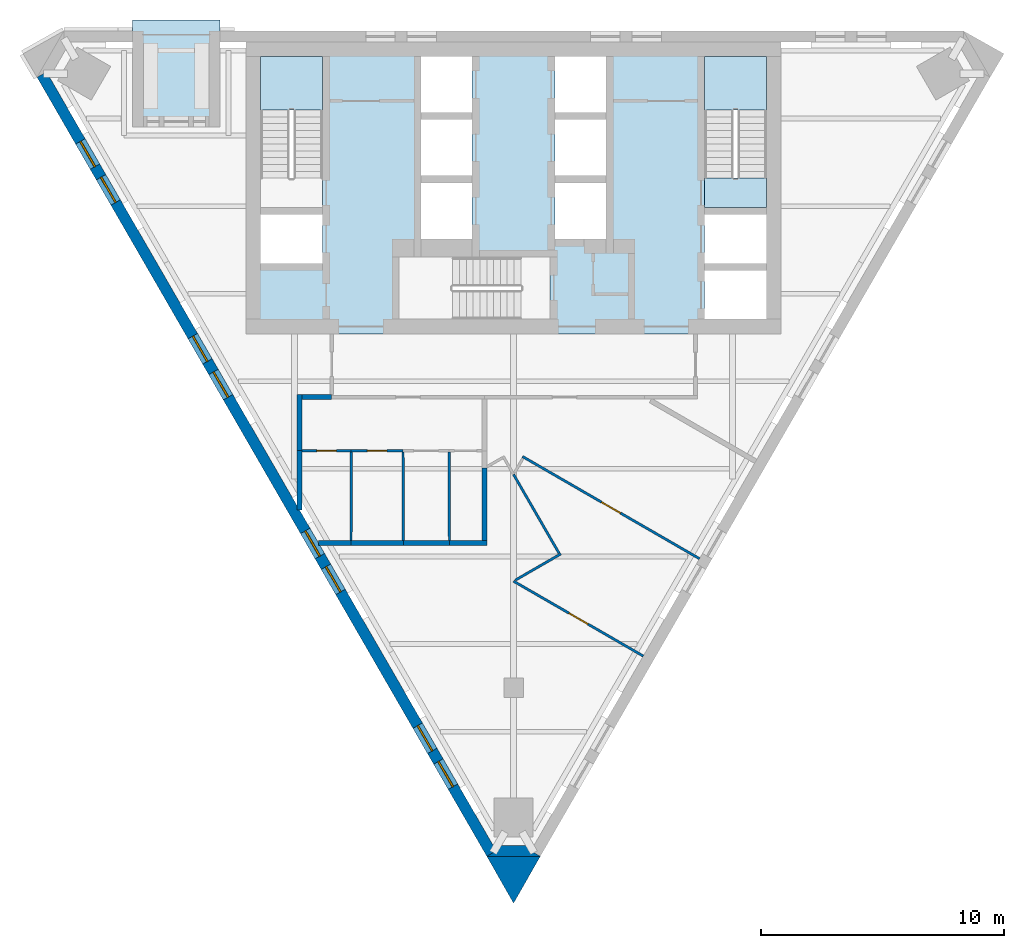
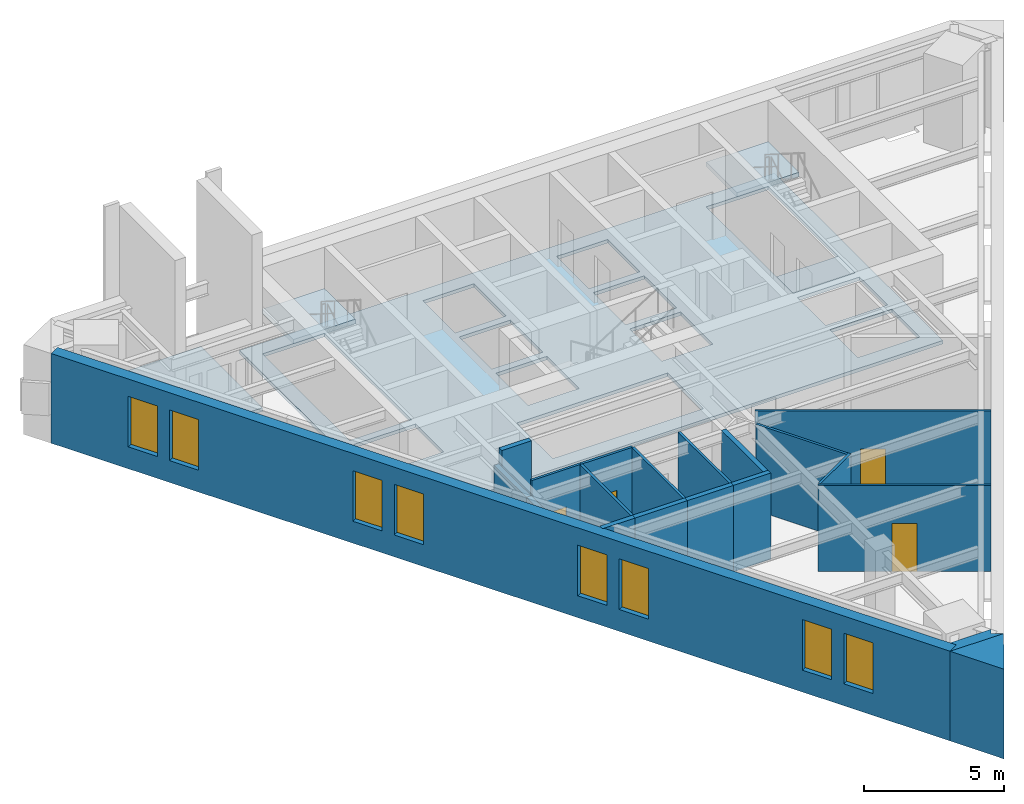
# One storey, part 2 of 6: 20 walls, 8 windows, 5 slabs, 4 doors, 12 openings, 2 elements without a shape of their own.
"""IFC4 building model written with IfcOpenShell, lengths in metres."""

from ifc_helpers import new_model, si_unit, direction, frame, frame_2d, origin, place, context, subcontext, project, spatial, polyline, rectangle, outline, extrude, material, layer, layer_set, type_object, element, fill, aggregate, save


model = new_model("IFC4")

# Units and contexts
model_context = context("Model", 3, precision=1e-05, world=origin(), true_north=direction((0.0, 1.0)))
body_context = subcontext(model_context, "Body", "Model", "MODEL_VIEW")
ifc_project = project(units=[si_unit("LENGTHUNIT", "METRE"), si_unit("AREAUNIT", "SQUARE_METRE"), si_unit("VOLUMEUNIT", "CUBIC_METRE"), si_unit("PLANEANGLEUNIT", "RADIAN"), si_unit("MASSUNIT", "GRAM", prefix="KILO")], contexts=[model_context])

# Site, building, storey
site_placement = place(None, origin())
site = spatial("IfcSite", under=ifc_project, at=site_placement, CompositionType="ELEMENT")
building_placement = place(site_placement, origin())
building = spatial("IfcBuilding", under=site, at=building_placement, Name="Aloe Facet Convention Tower", CompositionType="ELEMENT")
storey_placement = place(building_placement, frame((0.0, 0.0, 250.39990234375)))
storey = spatial("IfcBuildingStorey", under=building, at=storey_placement, Name="L61", CompositionType="ELEMENT", Elevation=250.39990234375)

# Slabs
ifc_material_1 = material(Name="Concrete C50/60", Category="concrete")
ifc_layer_1 = layer(ifc_material_1, 0.14990234375)
ifc_layer_set_1 = layer_set([ifc_layer_1], Name="CR-S-FLOOR150-C5060")
slab_type_1 = type_object("IfcSlabType", Name="CR-S-FLOOR150-C5060", PredefinedType="FLOOR", material=ifc_layer_set_1)
slab_1_placement = place(storey_placement, frame((0.0, 0.0, -0.14990234375)))
element("IfcSlab", 1, at=slab_1_placement, inside=storey, type_object=slab_type_1, Name="Core floor L61", PredefinedType="FLOOR", context=body_context, shape_type="SweptSolid", body=[
    extrude(outline(polyline([(71.85009765625, 134.550048828125), (72.75, 134.550048828125), (75.60009765625, 134.550048828125), (76.5, 134.550048828125), (78.0, 134.550048828125), (78.89990234375, 134.550048828125), (81.10009765625, 134.550048828125), (82.0, 134.550048828125), (83.5, 134.550048828125), (84.39990234375, 134.550048828125), (87.25, 134.550048828125), (88.14990234375, 134.550048828125), (91.0, 134.550048828125), (91.0, 128.050048828125), (91.0, 127.14990234375), (91.0, 125.75), (91.0, 124.85009765625), (91.0, 122.550048828125), (88.14990234375, 122.550048828125), (87.25, 122.550048828125), (85.300048828125, 122.550048828125), (84.39990234375, 122.550048828125), (82.10009765625, 122.550048828125), (81.199951171875, 122.550048828125), (75.60009765625, 122.550048828125), (74.699951171875, 122.550048828125), (72.75, 122.550048828125), (71.85009765625, 122.550048828125), (69.0, 122.550048828125), (69.0, 124.85009765625), (69.0, 125.75), (69.0, 127.14990234375), (69.0, 128.050048828125), (69.0, 134.550048828125), (71.85009765625, 134.550048828125)]), holes=[polyline([(80.298828125, 123.14990234375), (81.5, 123.14990234375), (81.5, 125.699951171875), (80.298828125, 125.699951171875), (75.300048828125, 125.699951171875), (75.300048828125, 123.14990234375), (80.298828125, 123.14990234375)]), polyline([(69.60009765625, 125.449951171875), (72.14990234375, 125.449951171875), (72.14990234375, 127.449951171875), (69.60009765625, 127.449951171875), (69.60009765625, 125.449951171875)]), polyline([(76.199951171875, 126.449951171875), (78.300048828125, 126.449951171875), (78.300048828125, 128.75), (76.199951171875, 128.75), (76.199951171875, 126.449951171875)]), polyline([(78.300048828125, 129.050048828125), (78.300048828125, 131.35009765625), (76.199951171875, 131.35009765625), (76.199951171875, 129.050048828125), (78.300048828125, 129.050048828125)]), polyline([(69.60009765625, 133.949951171875), (69.60009765625, 128.951171875), (69.60009765625, 127.75), (72.14990234375, 127.75), (72.14990234375, 128.951171875), (72.14990234375, 133.949951171875), (69.60009765625, 133.949951171875)]), polyline([(76.199951171875, 131.64990234375), (78.300048828125, 131.64990234375), (78.300048828125, 133.949951171875), (76.199951171875, 133.949951171875), (76.199951171875, 131.64990234375)]), polyline([(90.39990234375, 123.14990234375), (90.39990234375, 125.14990234375), (87.85009765625, 125.14990234375), (87.85009765625, 123.14990234375), (90.39990234375, 123.14990234375)]), polyline([(87.85009765625, 125.449951171875), (90.39990234375, 125.449951171875), (90.39990234375, 127.449951171875), (87.85009765625, 127.449951171875), (87.85009765625, 125.449951171875)]), polyline([(81.699951171875, 126.449951171875), (83.800048828125, 126.449951171875), (83.800048828125, 128.75), (81.699951171875, 128.75), (81.699951171875, 126.449951171875)]), polyline([(83.800048828125, 129.050048828125), (83.800048828125, 131.35009765625), (81.699951171875, 131.35009765625), (81.699951171875, 129.050048828125), (83.800048828125, 129.050048828125)]), polyline([(87.85009765625, 133.949951171875), (87.85009765625, 128.951171875), (87.85009765625, 127.75), (90.39990234375, 127.75), (90.39990234375, 128.951171875), (90.39990234375, 133.949951171875), (87.85009765625, 133.949951171875)]), polyline([(81.699951171875, 131.64990234375), (83.800048828125, 131.64990234375), (83.800048828125, 133.949951171875), (81.699951171875, 133.949951171875), (81.699951171875, 131.64990234375)])]), origin(), (0.0, 0.0, 1.0), 0.14990234375),
])
ifc_material_2 = material(Name="Concrete C50/60", Category="concrete")
ifc_layer_2 = layer(ifc_material_2, 0.300048828125)
ifc_layer_set_2 = layer_set([ifc_layer_2], Name="CR-S-FLOOR300-C5060")
slab_type_2 = type_object("IfcSlabType", Name="CR-S-FLOOR300-C5060", PredefinedType="FLOOR", material=ifc_layer_set_2)
slab_2_placement = place(storey_placement, frame((0.0, 0.0, -0.2998046875)))
element("IfcSlab", 2, at=slab_2_placement, inside=storey, type_object=slab_type_2, Name="Stair landing floor L61", PredefinedType="FLOOR", context=body_context, shape_type="SweptSolid", body=[
    extrude(outline(polyline([(90.39990234375, 127.75), (90.39990234375, 128.951171875), (87.85009765625, 128.951171875), (87.85009765625, 127.75), (90.39990234375, 127.75)])), origin(), (0.0, 0.0, 1.0), 0.2998046875),
])

# Stair, slab
ifc_material_3 = material(Name="Concrete C50/60", Category="concrete")
stair_type = type_object("IfcStairType", Name="CR-ST-22R", PredefinedType="HALF_TURN_STAIR", material=ifc_material_3)
stair_1_placement = place(storey_placement, origin())
stair_1 = element("IfcStair", 3, at=stair_1_placement, inside=storey, type_object=stair_type, Name="L61 Protected exit stair ST1", PredefinedType="HALF_TURN_STAIR")
ifc_material_4 = material(Name="Concrete C50/60", Category="concrete")
ifc_layer_3 = layer(ifc_material_4, 0.199951171875)
ifc_layer_set_3 = layer_set([ifc_layer_3], Name="CR-SL-LANDING")
slab_type_3 = type_object("IfcSlabType", Name="CR-SL-LANDING", PredefinedType="LANDING", material=ifc_layer_set_3)
slab_3_placement = place(storey_placement, frame((0.0, 0.0, 1.75)))
slab_3 = element("IfcSlab", 4, at=slab_3_placement, type_object=slab_type_3, Name="ST1 landing 1", PredefinedType="LANDING", context=body_context, shape_type="SweptSolid", body=[
    extrude(outline(polyline([(72.14990234375, 131.75), (72.14990234375, 133.949951171875), (69.60009765625, 133.949951171875), (69.60009765625, 131.75), (72.14990234375, 131.75)])), origin(), (0.0, 0.0, 1.0), 0.2001953125),
])
aggregate(stair_1, [slab_3])

stair_2_placement = place(storey_placement, origin())
stair_2 = element("IfcStair", 5, at=stair_2_placement, inside=storey, type_object=stair_type, Name="L61 Protected exit stair ST2", PredefinedType="HALF_TURN_STAIR")
slab_4_placement = place(storey_placement, frame((0.0, 0.0, 1.75)))
slab_4 = element("IfcSlab", 6, at=slab_4_placement, type_object=slab_type_3, Name="ST2 landing 1", PredefinedType="LANDING", context=body_context, shape_type="SweptSolid", body=[
    extrude(outline(polyline([(90.39990234375, 131.75), (90.39990234375, 133.949951171875), (87.85009765625, 133.949951171875), (87.85009765625, 131.75), (90.39990234375, 131.75)])), origin(), (0.0, 0.0, 1.0), 0.2001953125),
])
aggregate(stair_2, [slab_4])

# Slab
ifc_material_5 = material(Name="Concrete C35/45", Category="concrete")
ifc_layer_4 = layer(ifc_material_5, 0.14990234375)
ifc_layer_set_4 = layer_set([ifc_layer_4], Name="SF-TS-150")
slab_type_4 = type_object("IfcSlabType", Name="SF-TS-150", PredefinedType="FLOOR", material=ifc_layer_set_4)
slab_5_placement = place(storey_placement, frame((0.0, 0.0, -0.14990234375)))
element("IfcSlab", 7, at=slab_5_placement, inside=storey, type_object=slab_type_4, Name="Terrace slab T13", PredefinedType="FLOOR", context=body_context, shape_type="SweptSolid", body=[
    extrude(outline(polyline([(67.935302734375, 135.449951171875), (67.935302734375, 131.050048828125), (64.33544921875, 131.050048828125), (64.33544921875, 135.449951171875), (67.935302734375, 135.449951171875)])), origin(), (0.0, 0.0, 1.0), 0.14990234375),
])

# Walls
ifc_material_6 = material(Name="Precast concrete C40/50", Category="concrete")
ifc_layer_5 = layer(ifc_material_6, 0.449951171875)
ifc_layer_set_5 = layer_set([ifc_layer_5], Name="EV-WALL-PIER")
wall_type_1 = type_object("IfcWallType", Name="EV-WALL-PIER", PredefinedType="SOLIDWALL", material=ifc_layer_set_5)
wall_1_placement = place(storey_placement, frame((0.0, 0.0, -0.14990234375)))
element("IfcWall", 8, at=wall_1_placement, inside=storey, type_object=wall_type_1, Name="EP-L61-B", PredefinedType="SOLIDWALL", context=body_context, shape_type="SweptSolid", body=[
    extrude(outline(polyline([(78.89990234375, 101.07568359375), (79.289794921875, 101.30078125), (79.159912109375, 101.52587890625), (80.840087890625, 101.52587890625), (80.710205078125, 101.30078125), (81.10009765625, 101.07568359375), (78.89990234375, 101.07568359375)])), origin(), (0.0, 0.0, 1.0), 3.89990234375),
])
ifc_material_7 = material(Name="Precast concrete C40/50", Category="concrete")
ifc_layer_6 = layer(ifc_material_7, 3.947998046875)
ifc_layer_set_6 = layer_set([ifc_layer_6], Name="EV-WALL-SPINE")
wall_type_2 = type_object("IfcWallType", Name="EV-WALL-SPINE", PredefinedType="SOLIDWALL", material=ifc_layer_set_6)
wall_2_placement = place(storey_placement, frame((0.0, 0.0, -0.14990234375)))
element("IfcWall", 9, at=wall_2_placement, inside=storey, type_object=wall_type_2, Name="SP-S-L61", PredefinedType="SOLIDWALL", context=body_context, shape_type="SweptSolid", body=[
    extrude(outline(polyline([(78.89990234375, 101.07568359375), (80.0, 99.14501953125), (81.10009765625, 101.07568359375), (78.89990234375, 101.07568359375)])), origin(), (0.0, 0.0, 1.0), 3.89990234375),
])

# Wall, openings, windows
ifc_material_8 = material(Name="Precast concrete C40/50", Category="concrete")
ifc_layer_7 = layer(ifc_material_8, 0.449951171875)
ifc_layer_set_7 = layer_set([ifc_layer_7], Name="EV-WALL-STONE")
wall_type_3 = type_object("IfcWallType", Name="EV-WALL-STONE", PredefinedType="SOLIDWALL", material=ifc_layer_set_7)
wall_3_placement = place(storey_placement, frame((60.608642578125, 133.207275390625, -0.14990234375), z_axis=(0.0, 0.0, 1.0), x_axis=(0.500002536638, -0.866023939251, 0.0)))
wall_3 = element("IfcWall", 10, at=wall_3_placement, inside=storey, type_object=wall_type_3, Name="EW-L61-W01", PredefinedType="SOLIDWALL", context=body_context, shape_type="SweptSolid", body=[
    extrude(outline(polyline([(36.972412109375, 0.0), (36.972412109375, 3.89990234375), (0.0, 3.89990234375), (0.0, 0.0), (36.972412109375, 0.0)])), frame((0.0, 0.22509765625, 0.0), z_axis=(0.0, -1.0, 0.0), x_axis=(1.0, 0.0, 0.0)), (0.0, 0.0, 1.0), 0.449951171875),
])
opening_1_placement = place(wall_3_placement, frame((3.171630859375, 0.0, 0.949951171875)))
opening_1 = element("IfcOpeningElement", 11, at=opening_1_placement, cuts=wall_3, Name="Opening W-L61-W01", PredefinedType="OPENING", context=body_context, shape_type="SweptSolid", body=[
    extrude(rectangle(XDim=1.199951171875, YDim=2.199951171875, at=frame_2d((0.60009765625, 1.10009765625))), frame((0.0, 0.23486328125, 0.0), z_axis=(0.0, -1.0, 0.0), x_axis=(1.0, 0.0, 0.0)), (0.0, 0.0, 1.0), 0.469970703125),
])
opening_2_placement = place(wall_3_placement, frame((4.87158203125, 0.0, 0.949951171875)))
opening_2 = element("IfcOpeningElement", 12, at=opening_2_placement, cuts=wall_3, Name="Opening W-L61-W02", PredefinedType="OPENING", context=body_context, shape_type="SweptSolid", body=[
    extrude(rectangle(XDim=1.199951171875, YDim=2.199951171875, at=frame_2d((0.60009765625, 1.10009765625))), frame((0.0, 0.23486328125, 0.0), z_axis=(0.0, -1.0, 0.0), x_axis=(1.0, 0.0, 0.0)), (0.0, 0.0, 1.0), 0.469970703125),
])
opening_3_placement = place(wall_3_placement, frame((12.41455078125, 0.0, 0.949951171875)))
opening_3 = element("IfcOpeningElement", 13, at=opening_3_placement, cuts=wall_3, Name="Opening W-L61-W03", PredefinedType="OPENING", context=body_context, shape_type="SweptSolid", body=[
    extrude(rectangle(XDim=1.199951171875, YDim=2.199951171875, at=frame_2d((0.60009765625, 1.10009765625))), frame((0.0, 0.23486328125, 0.0), z_axis=(0.0, -1.0, 0.0), x_axis=(1.0, 0.0, 0.0)), (0.0, 0.0, 1.0), 0.469970703125),
])
opening_4_placement = place(wall_3_placement, frame((14.114501953125, 0.0, 0.949951171875)))
opening_4 = element("IfcOpeningElement", 14, at=opening_4_placement, cuts=wall_3, Name="Opening W-L61-W04", PredefinedType="OPENING", context=body_context, shape_type="SweptSolid", body=[
    extrude(rectangle(XDim=1.199951171875, YDim=2.199951171875, at=frame_2d((0.60009765625, 1.10009765625))), frame((0.0, 0.23486328125, 0.0), z_axis=(0.0, -1.0, 0.0), x_axis=(1.0, 0.0, 0.0)), (0.0, 0.0, 1.0), 0.469970703125),
])
opening_5_placement = place(wall_3_placement, frame((21.65771484375, 0.0, 0.949951171875)))
opening_5 = element("IfcOpeningElement", 15, at=opening_5_placement, cuts=wall_3, Name="Opening W-L61-W05", PredefinedType="OPENING", context=body_context, shape_type="SweptSolid", body=[
    extrude(rectangle(XDim=1.199951171875, YDim=2.199951171875, at=frame_2d((0.60009765625, 1.10009765625))), frame((0.0, 0.23486328125, 0.0), z_axis=(0.0, -1.0, 0.0), x_axis=(1.0, 0.0, 0.0)), (0.0, 0.0, 1.0), 0.469970703125),
])
opening_6_placement = place(wall_3_placement, frame((23.357666015625, 0.0, 0.949951171875)))
opening_6 = element("IfcOpeningElement", 16, at=opening_6_placement, cuts=wall_3, Name="Opening W-L61-W06", PredefinedType="OPENING", context=body_context, shape_type="SweptSolid", body=[
    extrude(rectangle(XDim=1.199951171875, YDim=2.199951171875, at=frame_2d((0.60009765625, 1.10009765625))), frame((0.0, 0.23486328125, 0.0), z_axis=(0.0, -1.0, 0.0), x_axis=(1.0, 0.0, 0.0)), (0.0, 0.0, 1.0), 0.469970703125),
])
opening_7_placement = place(wall_3_placement, frame((30.90087890625, 0.0, 0.949951171875)))
opening_7 = element("IfcOpeningElement", 17, at=opening_7_placement, cuts=wall_3, Name="Opening W-L61-W07", PredefinedType="OPENING", context=body_context, shape_type="SweptSolid", body=[
    extrude(rectangle(XDim=1.199951171875, YDim=2.199951171875, at=frame_2d((0.60009765625, 1.10009765625))), frame((0.0, 0.23486328125, 0.0), z_axis=(0.0, -1.0, 0.0), x_axis=(1.0, 0.0, 0.0)), (0.0, 0.0, 1.0), 0.469970703125),
])
opening_8_placement = place(wall_3_placement, frame((32.600830078125, 0.0, 0.949951171875)))
opening_8 = element("IfcOpeningElement", 18, at=opening_8_placement, cuts=wall_3, Name="Opening W-L61-W08", PredefinedType="OPENING", context=body_context, shape_type="SweptSolid", body=[
    extrude(rectangle(XDim=1.199951171875, YDim=2.199951171875, at=frame_2d((0.60009765625, 1.10009765625))), frame((0.0, 0.23486328125, 0.0), z_axis=(0.0, -1.0, 0.0), x_axis=(1.0, 0.0, 0.0)), (0.0, 0.0, 1.0), 0.469970703125),
])
ifc_material_9 = material(Name="Aluminium frame, clear double glazing", Category="aluminium")
window_type = type_object("IfcWindowType", Name="EV-WIN-O12", PartitioningType="SINGLE_PANEL", PredefinedType="WINDOW", material=ifc_material_9)
window_1_placement = place(opening_1_placement, origin())
window_1 = element("IfcWindow", 19, at=window_1_placement, inside=storey, type_object=window_type, Name="W-L61-W01", OverallHeight=2.199951171875, OverallWidth=1.199951171875, PartitioningType="SINGLE_PANEL", PredefinedType="WINDOW", context=body_context, shape_type="SweptSolid", body=[
    extrude(rectangle(XDim=1.199951171875, YDim=2.199951171875, at=frame_2d((0.60009765625, 1.10009765625))), frame((0.0, 0.030029296875, 0.0), z_axis=(0.0, -1.0, 0.0), x_axis=(1.0, 0.0, 0.0)), (0.0, 0.0, 1.0), 0.06005859375),
])
fill(opening_1, window_1)
window_2_placement = place(opening_2_placement, origin())
window_2 = element("IfcWindow", 20, at=window_2_placement, inside=storey, type_object=window_type, Name="W-L61-W02", OverallHeight=2.199951171875, OverallWidth=1.199951171875, PartitioningType="SINGLE_PANEL", PredefinedType="WINDOW", context=body_context, shape_type="SweptSolid", body=[
    extrude(rectangle(XDim=1.199951171875, YDim=2.199951171875, at=frame_2d((0.60009765625, 1.10009765625))), frame((0.0, 0.030029296875, 0.0), z_axis=(0.0, -1.0, 0.0), x_axis=(1.0, 0.0, 0.0)), (0.0, 0.0, 1.0), 0.06005859375),
])
fill(opening_2, window_2)
window_3_placement = place(opening_3_placement, origin())
window_3 = element("IfcWindow", 21, at=window_3_placement, inside=storey, type_object=window_type, Name="W-L61-W03", OverallHeight=2.199951171875, OverallWidth=1.199951171875, PartitioningType="SINGLE_PANEL", PredefinedType="WINDOW", context=body_context, shape_type="SweptSolid", body=[
    extrude(rectangle(XDim=1.199951171875, YDim=2.199951171875, at=frame_2d((0.60009765625, 1.10009765625))), frame((0.0, 0.030029296875, 0.0), z_axis=(0.0, -1.0, 0.0), x_axis=(1.0, 0.0, 0.0)), (0.0, 0.0, 1.0), 0.06005859375),
])
fill(opening_3, window_3)
window_4_placement = place(opening_4_placement, origin())
window_4 = element("IfcWindow", 22, at=window_4_placement, inside=storey, type_object=window_type, Name="W-L61-W04", OverallHeight=2.199951171875, OverallWidth=1.199951171875, PartitioningType="SINGLE_PANEL", PredefinedType="WINDOW", context=body_context, shape_type="SweptSolid", body=[
    extrude(rectangle(XDim=1.199951171875, YDim=2.199951171875, at=frame_2d((0.60009765625, 1.10009765625))), frame((0.0, 0.030029296875, 0.0), z_axis=(0.0, -1.0, 0.0), x_axis=(1.0, 0.0, 0.0)), (0.0, 0.0, 1.0), 0.06005859375),
])
fill(opening_4, window_4)
window_5_placement = place(opening_5_placement, origin())
window_5 = element("IfcWindow", 23, at=window_5_placement, inside=storey, type_object=window_type, Name="W-L61-W05", OverallHeight=2.199951171875, OverallWidth=1.199951171875, PartitioningType="SINGLE_PANEL", PredefinedType="WINDOW", context=body_context, shape_type="SweptSolid", body=[
    extrude(rectangle(XDim=1.199951171875, YDim=2.199951171875, at=frame_2d((0.60009765625, 1.10009765625))), frame((0.0, 0.030029296875, 0.0), z_axis=(0.0, -1.0, 0.0), x_axis=(1.0, 0.0, 0.0)), (0.0, 0.0, 1.0), 0.06005859375),
])
fill(opening_5, window_5)
window_6_placement = place(opening_6_placement, origin())
window_6 = element("IfcWindow", 24, at=window_6_placement, inside=storey, type_object=window_type, Name="W-L61-W06", OverallHeight=2.199951171875, OverallWidth=1.199951171875, PartitioningType="SINGLE_PANEL", PredefinedType="WINDOW", context=body_context, shape_type="SweptSolid", body=[
    extrude(rectangle(XDim=1.199951171875, YDim=2.199951171875, at=frame_2d((0.60009765625, 1.10009765625))), frame((0.0, 0.030029296875, 0.0), z_axis=(0.0, -1.0, 0.0), x_axis=(1.0, 0.0, 0.0)), (0.0, 0.0, 1.0), 0.06005859375),
])
fill(opening_6, window_6)
window_7_placement = place(opening_7_placement, origin())
window_7 = element("IfcWindow", 25, at=window_7_placement, inside=storey, type_object=window_type, Name="W-L61-W07", OverallHeight=2.199951171875, OverallWidth=1.199951171875, PartitioningType="SINGLE_PANEL", PredefinedType="WINDOW", context=body_context, shape_type="SweptSolid", body=[
    extrude(rectangle(XDim=1.199951171875, YDim=2.199951171875, at=frame_2d((0.60009765625, 1.10009765625))), frame((0.0, 0.030029296875, 0.0), z_axis=(0.0, -1.0, 0.0), x_axis=(1.0, 0.0, 0.0)), (0.0, 0.0, 1.0), 0.06005859375),
])
fill(opening_7, window_7)
window_8_placement = place(opening_8_placement, origin())
window_8 = element("IfcWindow", 26, at=window_8_placement, inside=storey, type_object=window_type, Name="W-L61-W08", OverallHeight=2.199951171875, OverallWidth=1.199951171875, PartitioningType="SINGLE_PANEL", PredefinedType="WINDOW", context=body_context, shape_type="SweptSolid", body=[
    extrude(rectangle(XDim=1.199951171875, YDim=2.199951171875, at=frame_2d((0.60009765625, 1.10009765625))), frame((0.0, 0.030029296875, 0.0), z_axis=(0.0, -1.0, 0.0), x_axis=(1.0, 0.0, 0.0)), (0.0, 0.0, 1.0), 0.06005859375),
])
fill(opening_8, window_8)

# Wall, opening, door
ifc_material_10 = material(Name="Gypsum board partition on steel studs", Category="steel")
ifc_layer_8 = layer(ifc_material_10, 0.10009765625)
ifc_layer_set_8 = layer_set([ifc_layer_8], Name="IN-W-PART")
wall_type_4 = type_object("IfcWallType", Name="IN-W-PART", PredefinedType="PARTITIONING", material=ifc_layer_set_8)
wall_4_placement = place(storey_placement, frame((80.0, 112.3837890625, 0.0), z_axis=(0.0, 0.0, 1.0), x_axis=(0.866021154418, -0.500007360046, 0.0)))
wall_4 = element("IfcWall", 27, at=wall_4_placement, inside=storey, type_object=wall_type_4, Name="Partition L61-W001", PredefinedType="PARTITIONING", context=body_context, shape_type="SweptSolid", body=[
    extrude(rectangle(XDim=6.15673828125, YDim=0.10009765625, at=frame_2d((3.078369140625, 0.0))), origin(), (0.0, 0.0, 1.0), 3.75),
])
opening_9_placement = place(wall_4_placement, frame((2.62841796875, 0.0, 0.0)))
opening_9 = element("IfcOpeningElement", 28, at=opening_9_placement, cuts=wall_4, Name="Opening L61-007", PredefinedType="OPENING", context=body_context, shape_type="SweptSolid", body=[
    extrude(rectangle(XDim=0.89990234375, YDim=2.10009765625, at=frame_2d((0.449951171875, 1.050048828125))), frame((0.0, 0.06005859375, 0.0), z_axis=(0.0, -1.0, 0.0), x_axis=(1.0, 0.0, 0.0)), (0.0, 0.0, 1.0), 0.1201171875),
])
ifc_material_11 = material(Name="Timber door", Category="wood")
door_type_1 = type_object("IfcDoorType", Name="IN-OFF-D-ROOM", OperationType="SINGLE_SWING_LEFT", PredefinedType="DOOR", material=ifc_material_11)
door_1_placement = place(opening_9_placement, origin())
door_1 = element("IfcDoor", 29, at=door_1_placement, inside=storey, type_object=door_type_1, Name="Door L61-007", OperationType="SINGLE_SWING_LEFT", OverallHeight=2.10009765625, OverallWidth=0.89990234375, PredefinedType="DOOR", context=body_context, shape_type="SweptSolid", body=[
    extrude(rectangle(XDim=0.89990234375, YDim=2.10009765625, at=frame_2d((0.449951171875, 1.050048828125))), frame((0.0, 0.02490234375, 0.0), z_axis=(0.0, -1.0, 0.0), x_axis=(1.0, 0.0, 0.0)), (0.0, 0.0, 1.0), 0.050048828125),
])
fill(opening_9, door_1)

# Wall
wall_5_placement = place(storey_placement, frame((80.074951171875, 112.42724609375, 0.0), z_axis=(0.0, 0.0, 1.0), x_axis=(0.866040446274, 0.499973944738, 0.0)))
element("IfcWall", 30, at=wall_5_placement, inside=storey, type_object=wall_type_4, Name="Partition L61-W002", PredefinedType="PARTITIONING", context=body_context, shape_type="SweptSolid", body=[
    extrude(rectangle(XDim=2.15673828125, YDim=0.10009765625, at=frame_2d((1.078369140625, 0.0))), origin(), (0.0, 0.0, 1.0), 3.75),
])

# Wall, opening, door
wall_6_placement = place(storey_placement, frame((80.36962890625, 117.5068359375, 0.0), z_axis=(0.0, 0.0, 1.0), x_axis=(0.866028733576, -0.499994232587, 0.0)))
wall_6 = element("IfcWall", 31, at=wall_6_placement, inside=storey, type_object=wall_type_4, Name="Partition L61-W003", PredefinedType="PARTITIONING", context=body_context, shape_type="SweptSolid", body=[
    extrude(rectangle(XDim=8.39794921875, YDim=0.10009765625, at=frame_2d((4.198974609375, 0.0))), origin(), (0.0, 0.0, 1.0), 3.75),
])
opening_10_placement = place(wall_6_placement, frame((3.7490234375, 0.0, 0.0)))
opening_10 = element("IfcOpeningElement", 32, at=opening_10_placement, cuts=wall_6, Name="Opening L61-008", PredefinedType="OPENING", context=body_context, shape_type="SweptSolid", body=[
    extrude(rectangle(XDim=0.89990234375, YDim=2.10009765625, at=frame_2d((0.449951171875, 1.050048828125))), frame((0.0, 0.06005859375, 0.0), z_axis=(0.0, -1.0, 0.0), x_axis=(1.0, 0.0, 0.0)), (0.0, 0.0, 1.0), 0.1201171875),
])
door_2_placement = place(opening_10_placement, origin())
door_2 = element("IfcDoor", 33, at=door_2_placement, inside=storey, type_object=door_type_1, Name="Door L61-008", OperationType="SINGLE_SWING_LEFT", OverallHeight=2.10009765625, OverallWidth=0.89990234375, PredefinedType="DOOR", context=body_context, shape_type="SweptSolid", body=[
    extrude(rectangle(XDim=0.89990234375, YDim=2.10009765625, at=frame_2d((0.449951171875, 1.050048828125))), frame((0.0, 0.02490234375, 0.0), z_axis=(0.0, -1.0, 0.0), x_axis=(1.0, 0.0, 0.0)), (0.0, 0.0, 1.0), 0.050048828125),
])
fill(opening_10, door_2)

# Walls
wall_7_placement = place(storey_placement, frame((80.0, 116.7705078125, 0.0), z_axis=(0.0, 0.0, 1.0), x_axis=(0.499980576233, -0.866036617811, 0.0)))
element("IfcWall", 34, at=wall_7_placement, inside=storey, type_object=wall_type_4, Name="Partition L61-W004", PredefinedType="PARTITIONING", context=body_context, shape_type="SweptSolid", body=[
    extrude(rectangle(XDim=3.739013671875, YDim=0.10009765625, at=frame_2d((1.86962890625, 0.0))), origin(), (0.0, 0.0, 1.0), 3.75),
])
wall_8_placement = place(storey_placement, frame((73.318359375, 114.050048828125, 0.0), z_axis=(0.0, 0.0, 1.0), x_axis=(0.002608686776, 0.999996597371, 0.0)))
element("IfcWall", 35, at=wall_8_placement, inside=storey, type_object=wall_type_4, Name="Partition L61-W016", PredefinedType="PARTITIONING", context=body_context, shape_type="SweptSolid", body=[
    extrude(rectangle(XDim=3.64990234375, YDim=0.10009765625, at=frame_2d((1.824951171875, 0.0))), origin(), (0.0, 0.0, 1.0), 3.75),
])

# Wall, opening, door
wall_9_placement = place(storey_placement, frame((71.300048828125, 117.75, 0.0), z_axis=(0.0, 0.0, 1.0), x_axis=(1.0, 0.0, 0.0)))
wall_9 = element("IfcWall", 36, at=wall_9_placement, inside=storey, type_object=wall_type_4, Name="Partition L61-W017", PredefinedType="PARTITIONING", context=body_context, shape_type="SweptSolid", body=[
    extrude(rectangle(XDim=2.02783203125, YDim=0.10009765625, at=frame_2d((1.013916015625, 0.0))), origin(), (0.0, 0.0, 1.0), 3.75),
])
opening_11_placement = place(wall_9_placement, frame((0.614013671875, 0.0, 0.0)))
opening_11 = element("IfcOpeningElement", 37, at=opening_11_placement, cuts=wall_9, Name="Opening L61-002", PredefinedType="OPENING", context=body_context, shape_type="SweptSolid", body=[
    extrude(rectangle(XDim=0.800048828125, YDim=2.10009765625, at=frame_2d((0.39990234375, 1.050048828125))), frame((0.0, 0.06005859375, 0.0), z_axis=(0.0, -1.0, 0.0), x_axis=(1.0, 0.0, 0.0)), (0.0, 0.0, 1.0), 0.1201171875),
])
ifc_material_12 = material(Name="Timber door", Category="wood")
door_type_2 = type_object("IfcDoorType", Name="IN-OFF-D-WC", OperationType="SINGLE_SWING_LEFT", PredefinedType="DOOR", material=ifc_material_12)
door_3_placement = place(opening_11_placement, origin())
door_3 = element("IfcDoor", 38, at=door_3_placement, inside=storey, type_object=door_type_2, Name="Door L61-002", OperationType="SINGLE_SWING_LEFT", OverallHeight=2.10009765625, OverallWidth=0.800048828125, PredefinedType="DOOR", context=body_context, shape_type="SweptSolid", body=[
    extrude(rectangle(XDim=0.800048828125, YDim=2.10009765625, at=frame_2d((0.39990234375, 1.050048828125))), frame((0.0, 0.02490234375, 0.0), z_axis=(0.0, -1.0, 0.0), x_axis=(1.0, 0.0, 0.0)), (0.0, 0.0, 1.0), 0.050048828125),
])
fill(opening_11, door_3)

# Wall
wall_10_placement = place(storey_placement, frame((75.4658203125, 114.050048828125, 0.0), z_axis=(0.0, 0.0, 1.0), x_axis=(-0.002675575707, 0.999996420641, 0.0)))
element("IfcWall", 39, at=wall_10_placement, inside=storey, type_object=wall_type_4, Name="Partition L61-W018", PredefinedType="PARTITIONING", context=body_context, shape_type="SweptSolid", body=[
    extrude(rectangle(XDim=3.64990234375, YDim=0.10009765625, at=frame_2d((1.824951171875, 0.0))), origin(), (0.0, 0.0, 1.0), 3.75),
])

# Wall, opening, door
wall_11_placement = place(storey_placement, frame((73.327880859375, 117.75, 0.0), z_axis=(0.0, 0.0, 1.0), x_axis=(1.0, 0.0, 0.0)))
wall_11 = element("IfcWall", 40, at=wall_11_placement, inside=storey, type_object=wall_type_4, Name="Partition L61-W019", PredefinedType="PARTITIONING", context=body_context, shape_type="SweptSolid", body=[
    extrude(rectangle(XDim=2.128173828125, YDim=0.10009765625, at=frame_2d((1.06396484375, 0.0))), origin(), (0.0, 0.0, 1.0), 3.75),
])
opening_12_placement = place(wall_11_placement, frame((0.6640625, 0.0, 0.0)))
opening_12 = element("IfcOpeningElement", 41, at=opening_12_placement, cuts=wall_11, Name="Opening L61-003", PredefinedType="OPENING", context=body_context, shape_type="SweptSolid", body=[
    extrude(rectangle(XDim=0.800048828125, YDim=2.10009765625, at=frame_2d((0.39990234375, 1.050048828125))), frame((0.0, 0.06005859375, 0.0), z_axis=(0.0, -1.0, 0.0), x_axis=(1.0, 0.0, 0.0)), (0.0, 0.0, 1.0), 0.1201171875),
])
door_4_placement = place(opening_12_placement, origin())
door_4 = element("IfcDoor", 42, at=door_4_placement, inside=storey, type_object=door_type_2, Name="Door L61-003", OperationType="SINGLE_SWING_LEFT", OverallHeight=2.10009765625, OverallWidth=0.800048828125, PredefinedType="DOOR", context=body_context, shape_type="SweptSolid", body=[
    extrude(rectangle(XDim=0.800048828125, YDim=2.10009765625, at=frame_2d((0.39990234375, 1.050048828125))), frame((0.0, 0.02490234375, 0.0), z_axis=(0.0, -1.0, 0.0), x_axis=(1.0, 0.0, 0.0)), (0.0, 0.0, 1.0), 0.050048828125),
])
fill(opening_12, door_4)

# Walls
wall_12_placement = place(storey_placement, frame((77.36572265625, 114.050048828125, 0.0), z_axis=(0.0, 0.0, 1.0), x_axis=(-0.002608686776, 0.999996597371, 0.0)))
element("IfcWall", 43, at=wall_12_placement, inside=storey, type_object=wall_type_4, Name="Partition L61-W020", PredefinedType="PARTITIONING", context=body_context, shape_type="SweptSolid", body=[
    extrude(rectangle(XDim=3.64990234375, YDim=0.10009765625, at=frame_2d((1.824951171875, 0.0))), origin(), (0.0, 0.0, 1.0), 3.75),
])
ifc_material_13 = material(Name="Gypsum board partition on steel studs", Category="steel")
ifc_layer_9 = layer(ifc_material_13, 0.199951171875)
ifc_layer_set_9 = layer_set([ifc_layer_9], Name="IN-W-PARTY")
wall_type_5 = type_object("IfcWallType", Name="IN-W-PARTY", PredefinedType="PARTITIONING", material=ifc_layer_set_9)
wall_13_placement = place(storey_placement, frame((71.98681640625, 113.949951171875, 0.0), z_axis=(0.0, 0.0, 1.0), x_axis=(1.0, 0.0, 0.0)))
element("IfcWall", 44, at=wall_13_placement, inside=storey, type_object=wall_type_5, Name="Partition L61-W005", PredefinedType="PARTITIONING", context=body_context, shape_type="SweptSolid", body=[
    extrude(rectangle(XDim=1.331298828125, YDim=0.199951171875, at=frame_2d((0.66552734375, 0.0))), origin(), (0.0, 0.0, 1.0), 3.75),
])
wall_14_placement = place(storey_placement, frame((73.318115234375, 113.949951171875, 0.0), z_axis=(0.0, 0.0, 1.0), x_axis=(1.0, 0.0, 0.0)))
element("IfcWall", 45, at=wall_14_placement, inside=storey, type_object=wall_type_5, Name="Partition L61-W006", PredefinedType="PARTITIONING", context=body_context, shape_type="SweptSolid", body=[
    extrude(rectangle(XDim=2.14794921875, YDim=0.199951171875, at=frame_2d((1.073974609375, 0.0))), origin(), (0.0, 0.0, 1.0), 3.75),
])
wall_15_placement = place(storey_placement, frame((75.466064453125, 113.949951171875, 0.0), z_axis=(0.0, 0.0, 1.0), x_axis=(1.0, 0.0, 0.0)))
element("IfcWall", 46, at=wall_15_placement, inside=storey, type_object=wall_type_5, Name="Partition L61-W007", PredefinedType="PARTITIONING", context=body_context, shape_type="SweptSolid", body=[
    extrude(rectangle(XDim=1.89990234375, YDim=0.199951171875, at=frame_2d((0.949951171875, 0.0))), origin(), (0.0, 0.0, 1.0), 3.75),
])
wall_16_placement = place(storey_placement, frame((77.365966796875, 113.949951171875, 0.0), z_axis=(0.0, 0.0, 1.0), x_axis=(1.0, 0.0, 0.0)))
element("IfcWall", 47, at=wall_16_placement, inside=storey, type_object=wall_type_5, Name="Partition L61-W008", PredefinedType="PARTITIONING", context=body_context, shape_type="SweptSolid", body=[
    extrude(rectangle(XDim=1.531982421875, YDim=0.199951171875, at=frame_2d((0.76611328125, 0.0))), origin(), (0.0, 0.0, 1.0), 3.75),
])
wall_17_placement = place(storey_placement, frame((78.798095703125, 114.050048828125, 0.0), z_axis=(0.0, 0.0, 1.0), x_axis=(0.000656006419, 0.999999784828, 0.0)))
element("IfcWall", 48, at=wall_17_placement, inside=storey, type_object=wall_type_5, Name="Partition L61-W009", PredefinedType="PARTITIONING", context=body_context, shape_type="SweptSolid", body=[
    extrude(rectangle(XDim=2.977294921875, YDim=0.199951171875, at=frame_2d((1.48876953125, 0.0))), origin(), (0.0, 0.0, 1.0), 3.75),
])
wall_18_placement = place(storey_placement, frame((71.199951171875, 115.312744140625, 0.0), z_axis=(0.0, 0.0, 1.0), x_axis=(0.0, 1.0, 0.0)))
element("IfcWall", 49, at=wall_18_placement, inside=storey, type_object=wall_type_5, Name="Partition L61-W023", PredefinedType="PARTITIONING", context=body_context, shape_type="SweptSolid", body=[
    extrude(rectangle(XDim=2.437255859375, YDim=0.199951171875, at=frame_2d((1.21875, 0.0))), origin(), (0.0, 0.0, 1.0), 3.062255859375),
])
wall_19_placement = place(storey_placement, frame((71.199951171875, 117.75, 0.0), z_axis=(0.0, 0.0, 1.0), x_axis=(0.0, 1.0, 0.0)))
element("IfcWall", 50, at=wall_19_placement, inside=storey, type_object=wall_type_5, Name="Partition L61-W024", PredefinedType="PARTITIONING", context=body_context, shape_type="SweptSolid", body=[
    extrude(rectangle(XDim=2.2978515625, YDim=0.199951171875, at=frame_2d((1.14892578125, 0.0))), origin(), (0.0, 0.0, 1.0), 3.062255859375),
])
wall_20_placement = place(storey_placement, frame((71.300048828125, 119.947998046875, 0.0), z_axis=(0.0, 0.0, 1.0), x_axis=(0.999998728662, 0.001594576406, 0.0)))
element("IfcWall", 51, at=wall_20_placement, inside=storey, type_object=wall_type_5, Name="Partition L61-W025", PredefinedType="PARTITIONING", context=body_context, shape_type="SweptSolid", body=[
    extrude(rectangle(XDim=1.224853515625, YDim=0.199951171875, at=frame_2d((0.6123046875, 0.0))), origin(), (0.0, 0.0, 1.0), 3.75),
])

save(model, "model.ifc")
